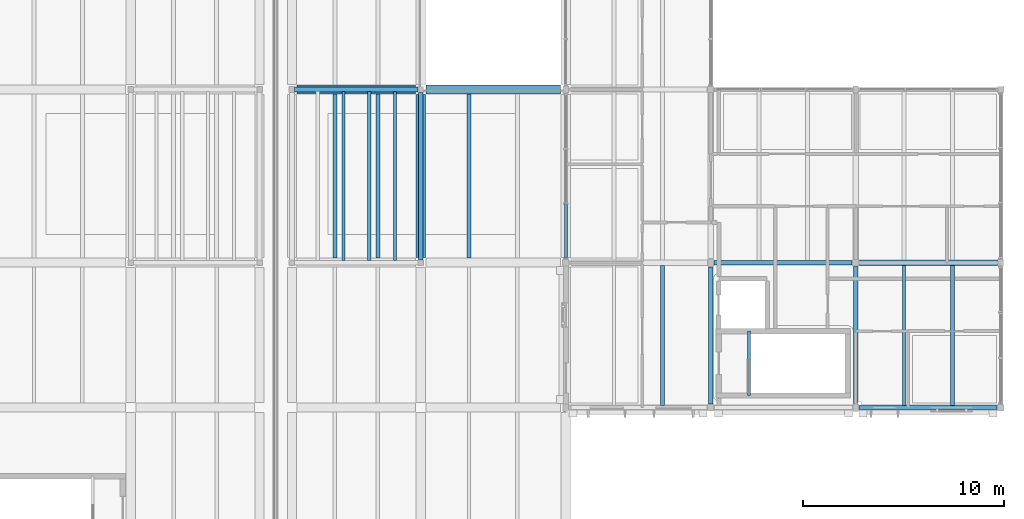
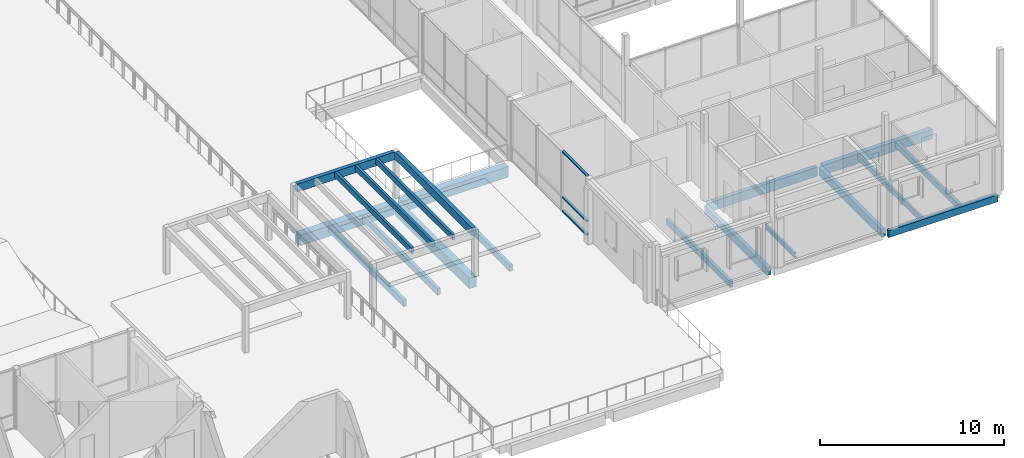
# One storey, part 49 of 115: 20 beams, 3 members, 1 element without a shape of its own.
"""IFC4 building model written with IfcOpenShell, lengths in metres."""

from ifc_helpers import new_model, si_unit, direction, frame, origin, origin_2d, place, context, subcontext, project, spatial, rectangle, hollow_rectangle, i_section, extrude, material, material_profile, profile_set, type_object, element, aggregate, save


model = new_model("IFC4")

# Units and contexts
model_context = context("Model", 3, precision=1e-05, world=origin(), true_north=direction((0.0, 1.0)))
body_context = subcontext(model_context, "Body", "Model", "MODEL_VIEW")
ifc_project = project(units=[si_unit("LENGTHUNIT", "METRE"), si_unit("AREAUNIT", "SQUARE_METRE"), si_unit("VOLUMEUNIT", "CUBIC_METRE"), si_unit("PLANEANGLEUNIT", "RADIAN"), si_unit("MASSUNIT", "GRAM", prefix="KILO")], contexts=[model_context])

# Site, building, storey
site_placement = place(None, origin())
site = spatial("IfcSite", under=ifc_project, at=site_placement, CompositionType="ELEMENT")
building_placement = place(site_placement, origin())
building = spatial("IfcBuilding", under=site, at=building_placement, Name="Hawrajan Terrace Health Centre", CompositionType="ELEMENT")
storey_placement = place(building_placement, frame((0.0, 0.0, 9.0)))
storey = spatial("IfcBuildingStorey", under=building, at=storey_placement, Name="L02", CompositionType="ELEMENT", Elevation=9.0)

# Curtain wall, members
ifc_material_1 = material(Name="Anodized bronze aluminium and low-E solar glazing", Category="aluminium")
curtain_wall_type = type_object("IfcCurtainWallType", Name="CW_Court_SeriesA2", PredefinedType="USERDEFINED", material=ifc_material_1)
curtain_wall_placement = place(storey_placement, origin())
curtain_wall = element("IfcCurtainWall", 1, at=curtain_wall_placement, inside=storey, type_object=curtain_wall_type, Name="Curtain wall CW-L02-146", ObjectType="UNITISED CURTAIN WALL", PredefinedType="USERDEFINED")
ifc_material_2 = material(Name="Anodized bronze aluminium 6063-T6", Category="aluminium")
ifc_material_profile_1 = material_profile(ifc_material_2, hollow_rectangle(XDim=0.074951171875, YDim=0.169921875, WallThickness=0.00439453125, at=origin_2d()), Name="CW TRN 75x170")
ifc_profile_set_1 = profile_set([ifc_material_profile_1], Name="Anodized bronze aluminium 6063-T6")
member_type = type_object("IfcMemberType", Name="CWTransom_75x170", PredefinedType="USERDEFINED", material=ifc_profile_set_1)
member_1_placement = place(storey_placement, frame((143.800048828125, 18.8291015625, 0.03759765625), z_axis=(0.0, 1.0, 0.0), x_axis=(0.0, 0.0, 1.0)))
member_1 = element("IfcMember", 2, at=member_1_placement, type_object=member_type, Name="Transom CW-L02-146-T1-1", ObjectType="TRANSOM", PredefinedType="USERDEFINED", context=body_context, shape_type="SweptSolid", body=[
    extrude(hollow_rectangle(XDim=0.074951171875, YDim=0.169921875, WallThickness=0.00439453125, at=origin_2d()), origin(), (0.0, 0.0, 1.0), 2.665283203125),
])
member_2_placement = place(storey_placement, frame((143.800048828125, 18.8291015625, 0.949951171875), z_axis=(0.0, 1.0, 0.0), x_axis=(0.0, 0.0, 1.0)))
member_2 = element("IfcMember", 3, at=member_2_placement, type_object=member_type, Name="Transom CW-L02-146-T1-2", ObjectType="TRANSOM", PredefinedType="USERDEFINED", context=body_context, shape_type="SweptSolid", body=[
    extrude(hollow_rectangle(XDim=0.074951171875, YDim=0.169921875, WallThickness=0.00439453125, at=origin_2d()), origin(), (0.0, 0.0, 1.0), 2.665283203125),
])
member_3_placement = place(storey_placement, frame((143.800048828125, 18.8291015625, 3.96240234375), z_axis=(0.0, 1.0, 0.0), x_axis=(0.0, 0.0, 1.0)))
member_3 = element("IfcMember", 4, at=member_3_placement, type_object=member_type, Name="Transom CW-L02-146-T1-3", ObjectType="TRANSOM", PredefinedType="USERDEFINED", context=body_context, shape_type="SweptSolid", body=[
    extrude(hollow_rectangle(XDim=0.074951171875, YDim=0.169921875, WallThickness=0.00439453125, at=origin_2d()), origin(), (0.0, 0.0, 1.0), 2.665283203125),
])
aggregate(curtain_wall, [member_1, member_2, member_3])

# Beams
ifc_material_3 = material(Name="Glulam GL32h", Category="wood")
ifc_material_profile_2 = material_profile(ifc_material_3, rectangle(XDim=0.239990234375, YDim=0.52001953125, at=origin_2d()), Name="GL BM 240x520")
ifc_profile_set_2 = profile_set([ifc_material_profile_2], Name="Glulam GL32h")
beam_type_1 = type_object("IfcBeamType", Name="GlulamGirder_240x520", PredefinedType="BEAM", material=ifc_profile_set_2)
for number, where, z_axis, x_axis, name in (
    (5, (151.0, 11.580078125, -0.5), (0.0, 1.0, 0.0), (-1.0, 0.0, 0.0), "Beam BM-Y-L02-E-X20-2"),
    (6, (158.199951171875, 11.610107421875, -0.5), (0.0, 1.0, 0.0), (-1.0, 0.0, 0.0), "Beam BM-Y-L02-E-X21-2"),
):
    element("IfcBeam", number, at=place(storey_placement, frame(where, z_axis=z_axis, x_axis=x_axis)), inside=storey, type_object=beam_type_1, Name=name, PredefinedType="BEAM", context=body_context, shape_type="SweptSolid", body=[
        extrude(rectangle(XDim=0.239990234375, YDim=0.52001953125, at=origin_2d()), origin(), (0.0, 0.0, 1.0), 6.809814453125),
    ])
beam_1_placement = place(storey_placement, frame((130.340087890625, 27.199951171875, 2.840087890625), z_axis=(1.0, 0.0, 0.0), x_axis=(0.0, 1.0, 0.0)))
element("IfcBeam", 7, at=beam_1_placement, inside=storey, type_object=beam_type_1, Name="Therapy garden pergola girder EAST-N", PredefinedType="BEAM", context=body_context, shape_type="SweptSolid", body=[
    extrude(rectangle(XDim=0.239990234375, YDim=0.52001953125, at=origin_2d()), origin(), (0.0, 0.0, 1.0), 6.119873046875),
])
beam_2_placement = place(storey_placement, frame((136.60009765625, 18.739990234375, 2.840087890625), z_axis=(0.0, 1.0, 0.0), x_axis=(-1.0, 0.0, 0.0)))
element("IfcBeam", 8, at=beam_2_placement, inside=storey, type_object=beam_type_1, Name="Therapy garden pergola girder EAST-E", PredefinedType="BEAM", context=body_context, shape_type="SweptSolid", body=[
    extrude(rectangle(XDim=0.239990234375, YDim=0.52001953125, at=origin_2d()), origin(), (0.0, 0.0, 1.0), 8.320068359375),
])
ifc_material_profile_3 = material_profile(ifc_material_3, rectangle(XDim=0.239990234375, YDim=0.60009765625, at=origin_2d()), Name="GL BM 240x600")
ifc_profile_set_3 = profile_set([ifc_material_profile_3], Name="Glulam GL32h")
beam_type_2 = type_object("IfcBeamType", Name="GlulamGirder_240x600", PredefinedType="BEAM", material=ifc_profile_set_3)
beam_3_placement = place(storey_placement, frame((151.159912109375, 18.60009765625, -0.5400390625), z_axis=(1.0, 0.0, 0.0), x_axis=(0.0, 1.0, 0.0)))
element("IfcBeam", 9, at=beam_3_placement, inside=storey, type_object=beam_type_2, Name="Beam BM-X-L02-E-20-Y3", PredefinedType="BEAM", context=body_context, shape_type="SweptSolid", body=[
    extrude(rectangle(XDim=0.239990234375, YDim=0.60009765625, at=origin_2d()), origin(), (0.0, 0.0, 1.0), 6.860107421875),
])
ifc_material_profile_4 = material_profile(ifc_material_3, rectangle(XDim=0.280029296875, YDim=0.639892578125, at=origin_2d()), Name="GL BM 280x640")
ifc_profile_set_4 = profile_set([ifc_material_profile_4], Name="Glulam GL32h")
beam_type_3 = type_object("IfcBeamType", Name="GlulamGirder_280x640", PredefinedType="BEAM", material=ifc_profile_set_4)
beam_4_placement = place(storey_placement, frame((158.3798828125, 18.60009765625, -0.56005859375), z_axis=(1.0, 0.0, 0.0), x_axis=(0.0, 1.0, 0.0)))
element("IfcBeam", 10, at=beam_4_placement, inside=storey, type_object=beam_type_3, Name="Beam BM-X-L02-E-21-Y3", PredefinedType="BEAM", context=body_context, shape_type="SweptSolid", body=[
    extrude(rectangle(XDim=0.280029296875, YDim=0.639892578125, at=origin_2d()), origin(), (0.0, 0.0, 1.0), 6.860107421875),
])
ifc_material_4 = material(Name="Glulam GL28h", Category="wood")
ifc_material_profile_5 = material_profile(ifc_material_4, rectangle(XDim=0.159912109375, YDim=0.360107421875, at=origin_2d()), Name="GL JST 160x360")
ifc_profile_set_5 = profile_set([ifc_material_profile_5], Name="Glulam GL28h")
beam_type_4 = type_object("IfcBeamType", Name="GlulamJoist_160x360", PredefinedType="JOIST", material=ifc_profile_set_5)
beam_5_placement = place(storey_placement, frame((160.60009765625, 11.5, -0.419921875), z_axis=(0.0, 1.0, 0.0), x_axis=(-1.0, 0.0, 0.0)))
element("IfcBeam", 11, at=beam_5_placement, inside=storey, type_object=beam_type_4, Name="Secondary joist JST-L02-E-21-2-1", PredefinedType="JOIST", context=body_context, shape_type="SweptSolid", body=[
    extrude(rectangle(XDim=0.159912109375, YDim=0.360107421875, at=origin_2d()), origin(), (0.0, 0.0, 1.0), 6.9599609375),
])
for number, where, z_axis, x_axis, name in (
    (12, (132.760009765625, 18.705078125, 2.919921875), (0.0, 1.0, 0.0), (-1.0, 0.0, 0.0), "Therapy garden shade pergola rafter EAST-2"),
    (13, (134.0400390625, 18.705078125, 2.919921875), (0.0, 1.0, 0.0), (-1.0, 0.0, 0.0), "Therapy garden shade pergola rafter EAST-3"),
    (14, (135.320068359375, 18.705078125, 2.919921875), (0.0, 1.0, 0.0), (-1.0, 0.0, 0.0), "Therapy garden shade pergola rafter EAST-4"),
):
    element("IfcBeam", number, at=place(storey_placement, frame(where, z_axis=z_axis, x_axis=x_axis)), inside=storey, type_object=beam_type_4, Name=name, PredefinedType="JOIST", context=body_context, shape_type="SweptSolid", body=[
        extrude(rectangle(XDim=0.159912109375, YDim=0.360107421875, at=origin_2d()), origin(), (0.0, 0.0, 1.0), 8.389892578125),
    ])
ifc_material_profile_6 = material_profile(ifc_material_4, rectangle(XDim=0.179931640625, YDim=0.39990234375, at=origin_2d()), Name="GL JST 180x400")
ifc_profile_set_6 = profile_set([ifc_material_profile_6], Name="Glulam GL28h")
beam_type_5 = type_object("IfcBeamType", Name="GlulamJoist_180x400", PredefinedType="JOIST", material=ifc_profile_set_6)
for number, where, z_axis, x_axis, name in (
    (15, (148.60009765625, 11.5, -0.47998046875), (0.0, 1.0, 0.0), (-1.0, 0.0, 0.0), "Secondary joist JST-L02-E-19-2-2"),
    (16, (163.0, 11.5, -0.43994140625), (0.0, 1.0, 0.0), (-1.0, 0.0, 0.0), "Secondary joist JST-L02-E-21-2-2"),
):
    element("IfcBeam", number, at=place(storey_placement, frame(where, z_axis=z_axis, x_axis=x_axis)), inside=storey, type_object=beam_type_5, Name=name, PredefinedType="JOIST", context=body_context, shape_type="SweptSolid", body=[
        extrude(rectangle(XDim=0.179931640625, YDim=0.39990234375, at=origin_2d()), origin(), (0.0, 0.0, 1.0), 6.9599609375),
    ])
ifc_material_profile_7 = material_profile(ifc_material_4, rectangle(XDim=0.199951171875, YDim=0.419921875, at=origin_2d()), Name="GL JST 200x420")
ifc_profile_set_7 = profile_set([ifc_material_profile_7], Name="Glulam GL28h")
beam_type_6 = type_object("IfcBeamType", Name="GlulamJoist_200x420", PredefinedType="JOIST", material=ifc_profile_set_7)
for number, where, z_axis, x_axis, name in (
    (17, (132.333251953125, 18.824951171875, -0.489990234375), (0.0, 1.0, 0.0), (-1.0, 0.0, 0.0), "Secondary joist JST-L02-E-17-3-1"),
    (18, (134.466796875, 18.824951171875, -0.489990234375), (0.0, 1.0, 0.0), (-1.0, 0.0, 0.0), "Secondary joist JST-L02-E-17-3-2"),
    (19, (139.0, 18.824951171875, -0.489990234375), (0.0, 1.0, 0.0), (-1.0, 0.0, 0.0), "Secondary joist JST-L02-E-18-3-1"),
):
    element("IfcBeam", number, at=place(storey_placement, frame(where, z_axis=z_axis, x_axis=x_axis)), inside=storey, type_object=beam_type_6, Name=name, PredefinedType="JOIST", context=body_context, shape_type="SweptSolid", body=[
        extrude(rectangle(XDim=0.199951171875, YDim=0.419921875, at=origin_2d()), origin(), (0.0, 0.0, 1.0), 8.150146484375),
    ])
ifc_material_profile_8 = material_profile(ifc_material_3, rectangle(XDim=0.199951171875, YDim=0.4599609375, at=origin_2d()), Name="GL SP 200x460")
ifc_profile_set_8 = profile_set([ifc_material_profile_8], Name="Glulam GL32h")
beam_type_7 = type_object("IfcBeamType", Name="GlulamSpandrel_200x460", PredefinedType="SPANDREL", material=ifc_profile_set_8)
beam_6_placement = place(storey_placement, frame((158.360107421875, 11.39990234375, -0.469970703125), z_axis=(1.0, 0.0, 0.0), x_axis=(0.0, 1.0, 0.0)))
element("IfcBeam", 20, at=beam_6_placement, inside=storey, type_object=beam_type_7, Name="Beam BM-X-L02-E-21-Y2", PredefinedType="SPANDREL", context=body_context, shape_type="SweptSolid", body=[
    extrude(rectangle(XDim=0.199951171875, YDim=0.4599609375, at=origin_2d()), origin(), (0.0, 0.0, 1.0), 6.85986328125),
])
ifc_material_5 = material(Name="Concrete C40/50", Category="concrete")
ifc_material_profile_9 = material_profile(ifc_material_5, rectangle(XDim=0.449951171875, YDim=0.699951171875, at=origin_2d()), Name="RC BM 450x700")
ifc_profile_set_9 = profile_set([ifc_material_profile_9], Name="Concrete C40/50")
beam_type_8 = type_object("IfcBeamType", Name="RCGirder_450x700", PredefinedType="BEAM", material=ifc_profile_set_9)
beam_7_placement = place(storey_placement, frame((130.449951171875, 27.199951171875, -0.6298828125), z_axis=(1.0, 0.0, 0.0), x_axis=(0.0, 1.0, 0.0)))
element("IfcBeam", 21, at=beam_7_placement, inside=storey, type_object=beam_type_8, Name="Beam BM-X-L02-E-17-Y4", PredefinedType="BEAM", context=body_context, shape_type="SweptSolid", body=[
    extrude(rectangle(XDim=0.449951171875, YDim=0.699951171875, at=origin_2d()), origin(), (0.0, 0.0, 1.0), 5.900146484375),
])
beam_8_placement = place(storey_placement, frame((136.85009765625, 27.199951171875, -0.6298828125), z_axis=(1.0, 0.0, 0.0), x_axis=(0.0, 1.0, 0.0)))
element("IfcBeam", 22, at=beam_8_placement, inside=storey, type_object=beam_type_8, Name="Beam BM-X-L02-E-18-Y4", PredefinedType="BEAM", context=body_context, shape_type="SweptSolid", body=[
    extrude(rectangle(XDim=0.449951171875, YDim=0.699951171875, at=origin_2d()), origin(), (0.0, 0.0, 1.0), 6.699951171875),
])
beam_9_placement = place(storey_placement, frame((136.60009765625, 18.85009765625, -0.6298828125), z_axis=(0.0, 1.0, 0.0), x_axis=(-1.0, 0.0, 0.0)))
element("IfcBeam", 23, at=beam_9_placement, inside=storey, type_object=beam_type_8, Name="Beam BM-Y-L02-E-X18-3", PredefinedType="BEAM", context=body_context, shape_type="SweptSolid", body=[
    extrude(rectangle(XDim=0.449951171875, YDim=0.699951171875, at=origin_2d()), origin(), (0.0, 0.0, 1.0), 8.099853515625),
])
ifc_material_6 = material(Name="Steel S355", Category="steel")
ifc_material_profile_10 = material_profile(ifc_material_6, i_section(OverallWidth=0.14990234375, OverallDepth=0.300048828125, WebThickness=0.007080078125, FlangeThickness=0.0107421875, FilletRadius=0.014892578125, at=origin_2d()), Name="IPE 300")
ifc_profile_set_10 = profile_set([ifc_material_profile_10], Name="Steel S355")
beam_type_9 = type_object("IfcBeamType", Name="SteelBeam_IPE300", PredefinedType="JOIST", material=ifc_profile_set_10)
beam_10_placement = place(storey_placement, frame((152.89990234375, 12.0, -0.3701171875), z_axis=(0.0, 1.0, 0.0), x_axis=(-1.0, 0.0, 0.0)))
element("IfcBeam", 24, at=beam_10_placement, inside=storey, type_object=beam_type_9, Name="Stair top trimmer ST-8", PredefinedType="JOIST", context=body_context, shape_type="SweptSolid", body=[
    extrude(i_section(OverallWidth=0.14990234375, OverallDepth=0.300048828125, WebThickness=0.007080078125, FlangeThickness=0.0107421875, FilletRadius=0.014892578125, at=origin_2d()), origin(), (0.0, 0.0, 1.0), 3.199951171875),
])

save(model, "model.ifc")
